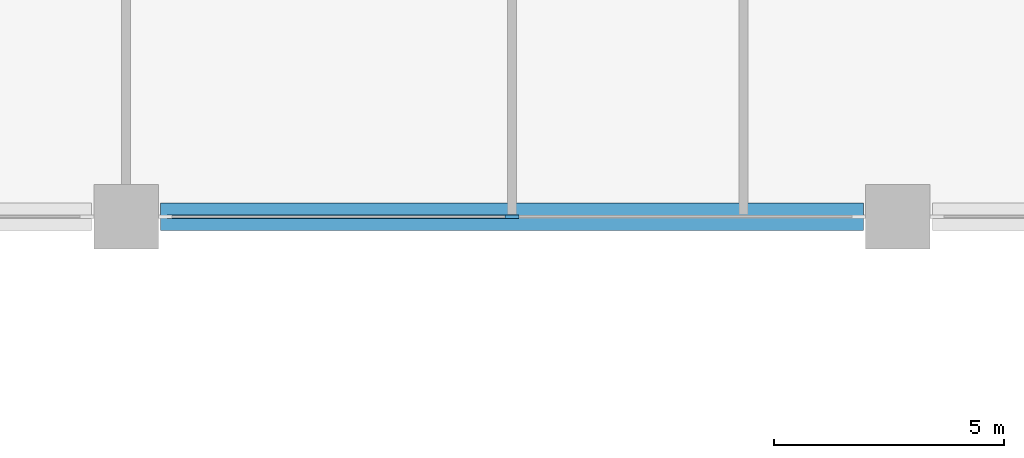
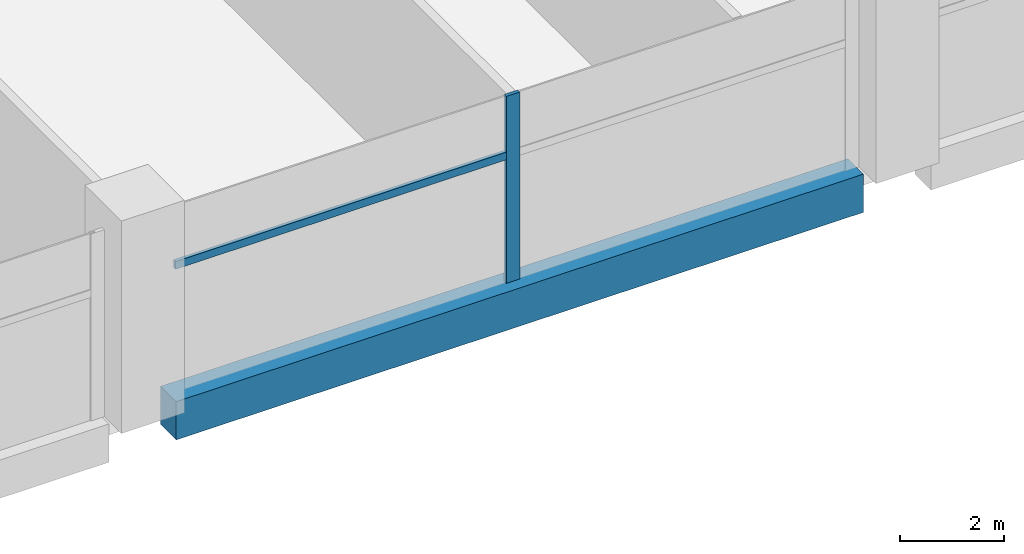
# One storey, part 3 of 33: 2 members, 1 beam, 1 element without a shape of its own.
"""IFC4 building model written with IfcOpenShell, lengths in metres."""

from ifc_helpers import new_model, si_unit, direction, frame, origin, origin_2d, place, context, subcontext, project, spatial, rectangle, extrude, material, material_profile, profile_set, type_object, element, aggregate, save


model = new_model("IFC4")

# Units and contexts
model_context = context("Model", 3, precision=1e-05, world=origin(), true_north=direction((0.0, 1.0)))
body_context = subcontext(model_context, "Body", "Model", "MODEL_VIEW")
ifc_project = project(units=[si_unit("LENGTHUNIT", "METRE"), si_unit("AREAUNIT", "SQUARE_METRE"), si_unit("VOLUMEUNIT", "CUBIC_METRE"), si_unit("PLANEANGLEUNIT", "RADIAN"), si_unit("MASSUNIT", "GRAM", prefix="KILO")], contexts=[model_context])

# Site, building, storey
site_placement = place(None, origin())
site = spatial("IfcSite", under=ifc_project, at=site_placement, CompositionType="ELEMENT")
building_placement = place(site_placement, origin())
building = spatial("IfcBuilding", under=site, at=building_placement, Name="Candeia Pilgrim Tower and Theatre", CompositionType="ELEMENT")
storey_placement = place(building_placement, frame((0.0, 0.0, 29.0)))
storey = spatial("IfcBuildingStorey", under=building, at=storey_placement, Name="L04", CompositionType="ELEMENT", Elevation=29.0)

# Curtain wall, members
ifc_material_1 = material(Name="Aluminium framed podium glazing", Category="aluminium")
curtain_wall_type = type_object("IfcCurtainWallType", Name="CW-P curtain wall", PredefinedType="NOTDEFINED", material=ifc_material_1)
curtain_wall_placement = place(storey_placement, origin())
curtain_wall = element("IfcCurtainWall", 1, at=curtain_wall_placement, inside=storey, type_object=curtain_wall_type, Name="Curtain wall CW-P L04.320", PredefinedType="NOTDEFINED")
ifc_material_2 = material(Name="Anodised aluminium", Category="aluminium")
ifc_material_profile_1 = material_profile(ifc_material_2, rectangle(XDim=0.080078125, YDim=0.300048828125, at=origin_2d()))
ifc_profile_set_1 = profile_set([ifc_material_profile_1], Name="Anodised aluminium")
member_type_1 = type_object("IfcMemberType", Name="CW-P mullion 80x300", PredefinedType="MULLION", material=ifc_profile_set_1)
member_1_placement = place(storey_placement, frame((117.60009765625, 81.199951171875, 0.0), z_axis=(0.0, 0.0, 1.0), x_axis=(0.0, -1.0, 0.0)))
member_1 = element("IfcMember", 2, at=member_1_placement, type_object=member_type_1, Name="CW-P mullion 2", PredefinedType="MULLION", context=body_context, shape_type="SweptSolid", body=[
    extrude(rectangle(XDim=0.080078125, YDim=0.300048828125, at=origin_2d()), origin(), (0.0, 0.0, 1.0), 4.39990234375),
])
ifc_material_profile_2 = material_profile(ifc_material_2, rectangle(XDim=0.080078125, YDim=0.179931640625, at=origin_2d()))
ifc_profile_set_2 = profile_set([ifc_material_profile_2], Name="Anodised aluminium")
member_type_2 = type_object("IfcMemberType", Name="CW-P transom 80x180", PredefinedType="USERDEFINED", material=ifc_profile_set_2)
member_2_placement = place(storey_placement, frame((117.56005859375, 81.199951171875, 3.0), z_axis=(-1.0, 0.0, 0.0), x_axis=(0.0, -1.0, 0.0)))
member_2 = element("IfcMember", 3, at=member_2_placement, type_object=member_type_2, Name="CW-P transom 2.1", ObjectType="TRANSOM", PredefinedType="USERDEFINED", context=body_context, shape_type="SweptSolid", body=[
    extrude(rectangle(XDim=0.080078125, YDim=0.179931640625, at=origin_2d()), origin(), (0.0, 0.0, 1.0), 7.469970703125),
])
aggregate(curtain_wall, [member_1, member_2])

# Beam
ifc_material_3 = material(Name="Concrete C80/95", Category="concrete")
ifc_material_profile_3 = material_profile(ifc_material_3, rectangle(XDim=0.60009765625, YDim=0.89990234375, at=origin_2d()))
ifc_profile_set_3 = profile_set([ifc_material_profile_3], Name="Concrete C80/95")
beam_type = type_object("IfcBeamType", Name="RC 600x900 C80/95", PredefinedType="BEAM", material=ifc_profile_set_3)
beam_placement = place(storey_placement, frame((109.949951171875, 81.199951171875, -0.449951171875), z_axis=(1.0, 0.0, 0.0), x_axis=(0.0, 1.0, 0.0)))
element("IfcBeam", 4, at=beam_placement, inside=storey, type_object=beam_type, Name="Spandrel beam L04-22", PredefinedType="BEAM", context=body_context, shape_type="SweptSolid", body=[
    extrude(rectangle(XDim=0.60009765625, YDim=0.89990234375, at=origin_2d()), origin(), (0.0, 0.0, 1.0), 15.300048828125),
])

save(model, "model.ifc")
